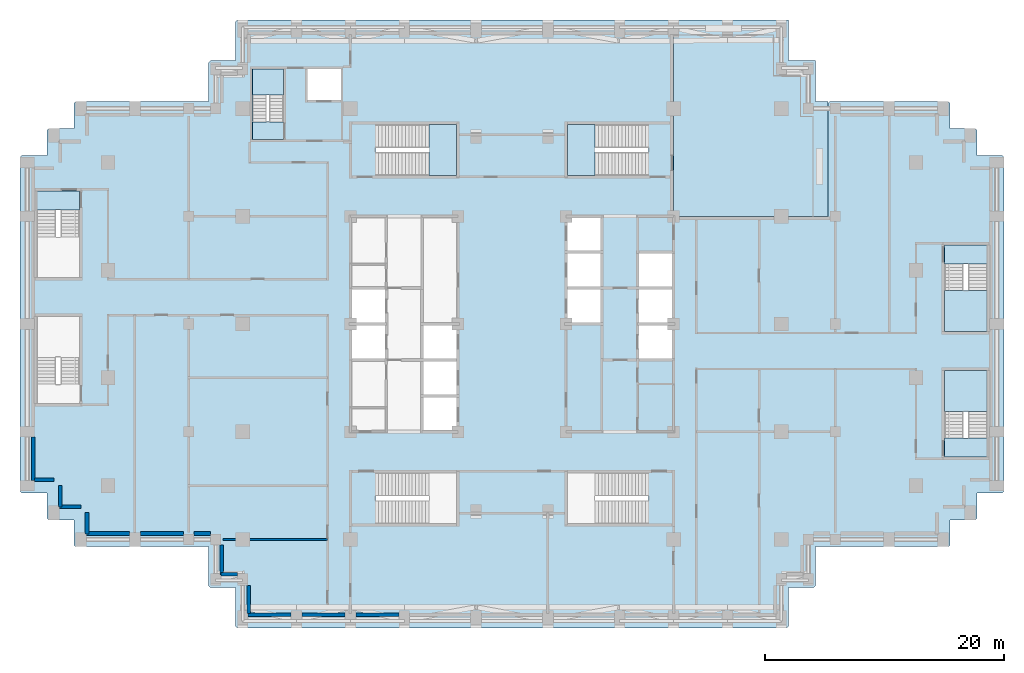
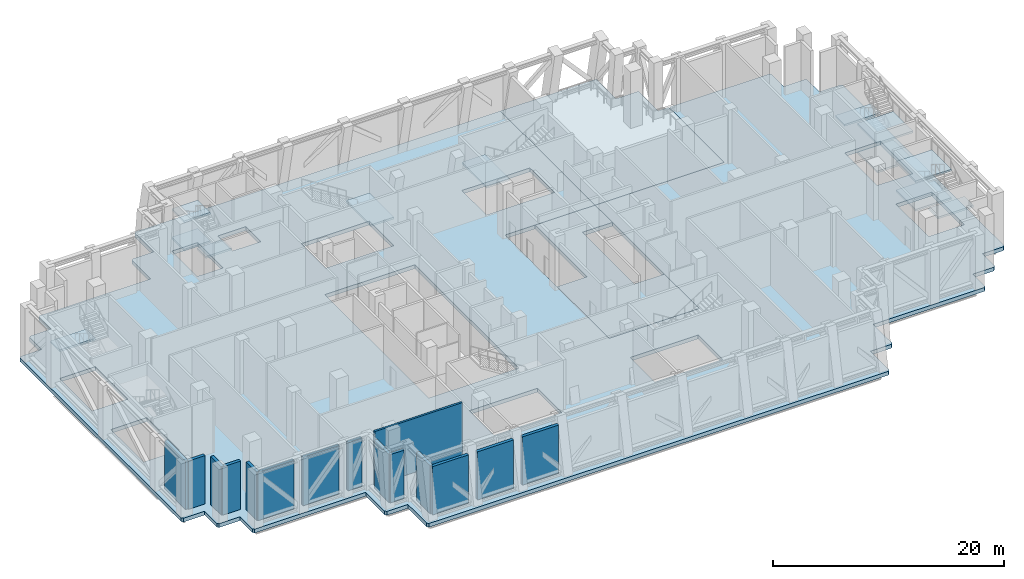
# One storey, part 4 of 14: 15 slabs, 15 walls, 6 elements without a shape of their own.
"""IFC4 building model written with IfcOpenShell, lengths in metres."""

from ifc_helpers import new_model, si_unit, direction, frame, frame_2d, origin, place, context, subcontext, project, spatial, polyline, rectangle, outline, extrude, material, layer, layer_set, type_object, element, aggregate, save


model = new_model("IFC4")

# Units and contexts
model_context = context("Model", 3, precision=1e-05, world=origin(), true_north=direction((0.0, 1.0)))
body_context = subcontext(model_context, "Body", "Model", "MODEL_VIEW")
ifc_project = project(units=[si_unit("LENGTHUNIT", "METRE"), si_unit("AREAUNIT", "SQUARE_METRE"), si_unit("VOLUMEUNIT", "CUBIC_METRE"), si_unit("PLANEANGLEUNIT", "RADIAN"), si_unit("MASSUNIT", "GRAM", prefix="KILO")], contexts=[model_context])

# Site, building, storey
site_placement = place(None, origin())
site = spatial("IfcSite", under=ifc_project, at=site_placement, CompositionType="ELEMENT")
building_placement = place(site_placement, origin())
building = spatial("IfcBuilding", under=site, at=building_placement, Name="Corbelhall Arena Tower", CompositionType="ELEMENT")
storey_placement = place(building_placement, frame((0.0, 0.0, 120.0)))
storey = spatial("IfcBuildingStorey", under=building, at=storey_placement, Name="L22", CompositionType="ELEMENT", Elevation=120.0)

# Slab
ifc_material_1 = material(Name="Concrete C40/50", Category="concrete")
ifc_layer_1 = layer(ifc_material_1, 0.300048828125)
ifc_layer_set_1 = layer_set([ifc_layer_1], Name="IN-SL-CORE")
slab_type_1 = type_object("IfcSlabType", Name="IN-SL-CORE", PredefinedType="FLOOR", material=ifc_layer_set_1)
slab_1_placement = place(storey_placement, frame((0.0, 0.0, -0.400390625)))
element("IfcSlab", 1, at=slab_1_placement, inside=storey, type_object=slab_type_1, Name="Core floor E", PredefinedType="FLOOR", context=body_context, shape_type="SweptSolid", body=[
    extrude(outline(polyline([(7.5, 0.0), (4.5, 0.0), (4.5, -9.0), (13.5, -9.0), (13.5, -3.0), (10.5, -3.0), (10.5, 0.0), (10.5, 3.0), (10.5, 6.0), (13.5, 6.0), (13.5, 9.0), (7.5, 9.0), (7.5, 6.0), (7.5, 3.0), (7.5, 0.0)])), origin(), (0.0, 0.0, 1.0), 0.400390625),
])

# Stair, slab
stair_type = type_object("IfcStairType", Name="IN-ST-TOWER", PredefinedType="HALF_TURN_STAIR", material=ifc_material_1)
stair_1_placement = place(storey_placement, origin())
stair_1 = element("IfcStair", 2, at=stair_1_placement, inside=storey, type_object=stair_type, Name="L22 Exit stair ST1", PredefinedType="HALF_TURN_STAIR")
ifc_layer_2 = layer(ifc_material_1, 0.199951171875)
ifc_layer_set_2 = layer_set([ifc_layer_2], Name="IN-SL-LANDING")
slab_type_2 = type_object("IfcSlabType", Name="IN-SL-LANDING", PredefinedType="LANDING", material=ifc_layer_set_2)
slab_2_placement = place(storey_placement, frame((0.0, 0.0, 2.800048828125)))
slab_2 = element("IfcSlab", 3, at=slab_2_placement, type_object=slab_type_2, Name="ST1 landing 1", PredefinedType="LANDING", context=body_context, shape_type="SweptSolid", body=[
    extrude(outline(polyline([(-6.945068359375, 12.425048828125), (-4.625, 12.425048828125), (-4.625, 16.675048828125), (-6.945068359375, 16.675048828125), (-6.945068359375, 12.425048828125)])), origin(), (0.0, 0.0, 1.0), 0.199951171875),
])
aggregate(stair_1, [slab_2])

stair_2_placement = place(storey_placement, origin())
stair_2 = element("IfcStair", 4, at=stair_2_placement, inside=storey, type_object=stair_type, Name="L22 Exit stair ST3", PredefinedType="HALF_TURN_STAIR")
slab_3_placement = place(storey_placement, frame((0.0, 0.0, 2.800048828125)))
slab_3 = element("IfcSlab", 5, at=slab_3_placement, type_object=slab_type_2, Name="ST3 landing 1", PredefinedType="LANDING", context=body_context, shape_type="SweptSolid", body=[
    extrude(outline(polyline([(6.945068359375, 16.675048828125), (4.625, 16.675048828125), (4.625, 12.425048828125), (6.945068359375, 12.425048828125), (6.945068359375, 16.675048828125)])), origin(), (0.0, 0.0, 1.0), 0.199951171875),
])
aggregate(stair_2, [slab_3])

stair_3_placement = place(storey_placement, origin())
stair_3 = element("IfcStair", 6, at=stair_3_placement, inside=storey, type_object=stair_type, Name="L22 Exit stair SC1", PredefinedType="HALF_TURN_STAIR")
slab_4_placement = place(storey_placement, frame((0.0, 0.0, 2.800048828125)))
slab_4 = element("IfcSlab", 7, at=slab_4_placement, type_object=slab_type_2, Name="SC1 landing 2", PredefinedType="LANDING", context=body_context, shape_type="SweptSolid", body=[
    extrude(outline(polyline([(-39.699951171875, 11.125), (-39.699951171875, 9.52490234375), (-36.125, 9.52490234375), (-36.125, 11.125), (-39.699951171875, 11.125)])), origin(), (0.0, 0.0, 1.0), 0.199951171875),
])
aggregate(stair_3, [slab_4])

# Stair, slabs
stair_4_placement = place(storey_placement, origin())
stair_4 = element("IfcStair", 8, at=stair_4_placement, inside=storey, type_object=stair_type, Name="L22 Exit stair SD1", PredefinedType="HALF_TURN_STAIR")
slab_5_placement = place(storey_placement, frame((0.0, 0.0, 1.300048828125)))
slab_5 = element("IfcSlab", 9, at=slab_5_placement, type_object=slab_type_2, Name="SD1 landing 1", PredefinedType="LANDING", context=body_context, shape_type="SweptSolid", body=[
    extrude(outline(polyline([(39.699951171875, -7.284912109375), (39.699951171875, -3.875), (36.125, -3.875), (36.125, -7.284912109375), (39.699951171875, -7.284912109375)])), origin(), (0.0, 0.0, 1.0), 0.199951171875),
])
slab_6_placement = place(storey_placement, frame((0.0, 0.0, 2.800048828125)))
slab_6 = element("IfcSlab", 10, at=slab_6_placement, type_object=slab_type_2, Name="SD1 landing 2", PredefinedType="LANDING", context=body_context, shape_type="SweptSolid", body=[
    extrude(outline(polyline([(39.699951171875, -11.125), (39.699951171875, -9.52490234375), (36.125, -9.52490234375), (36.125, -11.125), (39.699951171875, -11.125)])), origin(), (0.0, 0.0, 1.0), 0.199951171875),
])
slab_7_placement = place(storey_placement, frame((0.0, 0.0, 4.300048828125)))
slab_7 = element("IfcSlab", 11, at=slab_7_placement, type_object=slab_type_2, Name="SD1 landing 3", PredefinedType="LANDING", context=body_context, shape_type="SweptSolid", body=[
    extrude(outline(polyline([(39.699951171875, -7.284912109375), (39.699951171875, -3.875), (36.125, -3.875), (36.125, -7.284912109375), (39.699951171875, -7.284912109375)])), origin(), (0.0, 0.0, 1.0), 0.199951171875),
])
aggregate(stair_4, [slab_5, slab_6, slab_7])

stair_5_placement = place(storey_placement, origin())
stair_5 = element("IfcStair", 12, at=stair_5_placement, inside=storey, type_object=stair_type, Name="L22 Exit stair SD2", PredefinedType="HALF_TURN_STAIR")
slab_8_placement = place(storey_placement, frame((0.0, 0.0, 1.300048828125)))
slab_8 = element("IfcSlab", 13, at=slab_8_placement, type_object=slab_type_2, Name="SD2 landing 1", PredefinedType="LANDING", context=body_context, shape_type="SweptSolid", body=[
    extrude(outline(polyline([(36.125, 2.784912109375), (36.125, -0.625), (39.699951171875, -0.625), (39.699951171875, 2.784912109375), (36.125, 2.784912109375)])), origin(), (0.0, 0.0, 1.0), 0.199951171875),
])
slab_9_placement = place(storey_placement, frame((0.0, 0.0, 2.800048828125)))
slab_9 = element("IfcSlab", 14, at=slab_9_placement, type_object=slab_type_2, Name="SD2 landing 2", PredefinedType="LANDING", context=body_context, shape_type="SweptSolid", body=[
    extrude(outline(polyline([(36.125, 6.625), (36.125, 5.02490234375), (39.699951171875, 5.02490234375), (39.699951171875, 6.625), (36.125, 6.625)])), origin(), (0.0, 0.0, 1.0), 0.199951171875),
])
slab_10_placement = place(storey_placement, frame((0.0, 0.0, 4.300048828125)))
slab_10 = element("IfcSlab", 15, at=slab_10_placement, type_object=slab_type_2, Name="SD2 landing 3", PredefinedType="LANDING", context=body_context, shape_type="SweptSolid", body=[
    extrude(outline(polyline([(36.125, 2.784912109375), (36.125, -0.625), (39.699951171875, -0.625), (39.699951171875, 2.784912109375), (36.125, 2.784912109375)])), origin(), (0.0, 0.0, 1.0), 0.199951171875),
])
aggregate(stair_5, [slab_8, slab_9, slab_10])

stair_6_placement = place(storey_placement, origin())
stair_6 = element("IfcStair", 16, at=stair_6_placement, inside=storey, type_object=stair_type, Name="L22 Exit stair ST5", PredefinedType="HALF_TURN_STAIR")
slab_11_placement = place(storey_placement, frame((0.0, 0.0, 1.300048828125)))
slab_11 = element("IfcSlab", 17, at=slab_11_placement, type_object=slab_type_2, Name="ST5 landing 1", PredefinedType="LANDING", context=body_context, shape_type="SweptSolid", body=[
    extrude(outline(polyline([(-19.094970703125, 19.139892578125), (-19.094970703125, 21.300048828125), (-21.695068359375, 21.300048828125), (-21.695068359375, 19.139892578125), (-19.094970703125, 19.139892578125)])), origin(), (0.0, 0.0, 1.0), 0.199951171875),
])
slab_12_placement = place(storey_placement, frame((0.0, 0.0, 2.800048828125)))
slab_12 = element("IfcSlab", 18, at=slab_12_placement, type_object=slab_type_2, Name="ST5 landing 2", PredefinedType="LANDING", context=body_context, shape_type="SweptSolid", body=[
    extrude(outline(polyline([(-19.094970703125, 15.39990234375), (-19.094970703125, 16.89990234375), (-21.695068359375, 16.89990234375), (-21.695068359375, 15.39990234375), (-19.094970703125, 15.39990234375)])), origin(), (0.0, 0.0, 1.0), 0.199951171875),
])
slab_13_placement = place(storey_placement, frame((0.0, 0.0, 4.300048828125)))
slab_13 = element("IfcSlab", 19, at=slab_13_placement, type_object=slab_type_2, Name="ST5 landing 3", PredefinedType="LANDING", context=body_context, shape_type="SweptSolid", body=[
    extrude(outline(polyline([(-19.094970703125, 19.139892578125), (-19.094970703125, 21.300048828125), (-21.695068359375, 21.300048828125), (-21.695068359375, 19.139892578125), (-19.094970703125, 19.139892578125)])), origin(), (0.0, 0.0, 1.0), 0.199951171875),
])
aggregate(stair_6, [slab_11, slab_12, slab_13])

# Slabs
ifc_layer_3 = layer(ifc_material_1, 0.400390625)
ifc_layer_set_3 = layer_set([ifc_layer_3], Name="ST-SLAB-FLOOR-400")
slab_type_3 = type_object("IfcSlabType", Name="ST-SLAB-FLOOR-400", PredefinedType="FLOOR", material=ifc_layer_set_3)
slab_14_placement = place(storey_placement, frame((0.0, 0.0, -0.400390625)))
element("IfcSlab", 20, at=slab_14_placement, inside=storey, type_object=slab_type_3, Name="Floor slab L22 1", PredefinedType="FLOOR", context=body_context, shape_type="SweptSolid", body=[
    extrude(outline(polyline([(40.949951171875, 14.10009765625), (38.85009765625, 14.10009765625), (38.85009765625, 16.199951171875), (38.699951171875, 16.35009765625), (36.60009765625, 16.35009765625), (36.60009765625, 18.449951171875), (36.449951171875, 18.60009765625), (26.550048828125, 18.60009765625), (26.39990234375, 18.449951171875), (26.39990234375, 9.0), (13.5, 9.0), (13.5, 25.39990234375), (-22.949951171875, 25.39990234375), (-23.10009765625, 25.25), (-23.10009765625, 22.0), (-25.199951171875, 22.0), (-25.35009765625, 21.85009765625), (-25.35009765625, 18.60009765625), (-36.449951171875, 18.60009765625), (-36.60009765625, 18.449951171875), (-36.60009765625, 16.35009765625), (-38.699951171875, 16.35009765625), (-38.85009765625, 16.199951171875), (-38.85009765625, 14.10009765625), (-40.949951171875, 14.10009765625), (-41.10009765625, 13.949951171875), (-41.10009765625, -13.949951171875), (-40.949951171875, -14.10009765625), (-38.85009765625, -14.10009765625), (-38.85009765625, -16.199951171875), (-38.699951171875, -16.35009765625), (-36.60009765625, -16.35009765625), (-36.60009765625, -18.449951171875), (-36.449951171875, -18.60009765625), (-25.35009765625, -18.60009765625), (-25.35009765625, -21.85009765625), (-25.199951171875, -22.0), (-23.10009765625, -22.0), (-23.10009765625, -25.25), (-22.949951171875, -25.39990234375), (22.949951171875, -25.39990234375), (23.10009765625, -25.25), (23.10009765625, -22.0), (25.199951171875, -22.0), (25.35009765625, -21.85009765625), (25.35009765625, -18.60009765625), (36.449951171875, -18.60009765625), (36.60009765625, -18.449951171875), (36.60009765625, -16.35009765625), (38.699951171875, -16.35009765625), (38.85009765625, -16.199951171875), (38.85009765625, -14.10009765625), (40.949951171875, -14.10009765625), (41.10009765625, -13.949951171875), (41.10009765625, 13.949951171875), (40.949951171875, 14.10009765625)]), holes=[polyline([(4.501220703125, 8.997314453125), (4.501220703125, -8.997314453125), (13.498779296875, -8.997314453125), (13.498779296875, 8.997314453125), (4.501220703125, 8.997314453125)]), polyline([(-13.5, 9.0), (-13.5, -9.0), (-4.5, -9.0), (-4.5, 9.0), (-13.5, 9.0)]), polyline([(-4.625, 16.675048828125), (-11.422119140625, 16.675048828125), (-11.422119140625, 12.425048828125), (-4.625, 12.425048828125), (-4.625, 16.675048828125)]), polyline([(-4.625, -16.675048828125), (-4.625, -12.425048828125), (-11.422119140625, -12.425048828125), (-11.422119140625, -16.675048828125), (-4.625, -16.675048828125)]), polyline([(11.422119140625, 16.675048828125), (4.625, 16.675048828125), (4.625, 12.425048828125), (11.422119140625, 12.425048828125), (11.422119140625, 16.675048828125)]), polyline([(11.422119140625, -16.675048828125), (11.422119140625, -12.425048828125), (4.625, -12.425048828125), (4.625, -16.675048828125), (11.422119140625, -16.675048828125)]), polyline([(-36.125, 3.875), (-36.125, 9.52197265625), (-39.699951171875, 9.52197265625), (-39.699951171875, 3.875), (-36.125, 3.875)]), polyline([(-36.125, 0.625), (-39.699951171875, 0.625), (-39.699951171875, -5.02197265625), (-36.125, -5.02197265625), (-36.125, 0.625)]), polyline([(39.699951171875, -9.52197265625), (39.699951171875, -3.875), (36.125, -3.875), (36.125, -9.52197265625), (39.699951171875, -9.52197265625)]), polyline([(39.699951171875, 5.02197265625), (36.125, 5.02197265625), (36.125, -0.625), (39.699951171875, -0.625), (39.699951171875, 5.02197265625)]), polyline([(-21.695068359375, 21.300048828125), (-21.695068359375, 16.903076171875), (-19.094970703125, 16.903076171875), (-19.094970703125, 21.300048828125), (-21.695068359375, 21.300048828125)]), polyline([(-14.300048828125, 21.300048828125), (-17.10009765625, 21.300048828125), (-17.10009765625, 18.699951171875), (-14.300048828125, 18.699951171875), (-14.300048828125, 21.300048828125)])]), origin(), (0.0, 0.0, 1.0), 0.400390625),
])
slab_15_placement = place(storey_placement, frame((0.0, 0.0, -0.400390625)))
element("IfcSlab", 21, at=slab_15_placement, inside=storey, type_object=slab_type_3, Name="Terrace slab T-L22-NE", PredefinedType="FLOOR", context=body_context, shape_type="SweptSolid", body=[
    extrude(outline(polyline([(23.10009765625, 25.39990234375), (13.5, 25.39990234375), (13.5, 9.0), (26.39990234375, 9.0), (26.39990234375, 18.60009765625), (25.35009765625, 18.60009765625), (25.35009765625, 22.0), (23.10009765625, 22.0), (23.10009765625, 25.39990234375)])), origin(), (0.0, 0.0, 1.0), 0.400390625),
])

# Walls
ifc_material_2 = material(Name="Precast concrete C40/50 with granite facing", Category="masonry")
ifc_layer_4 = layer(ifc_material_2, 0.300048828125)
ifc_layer_set_4 = layer_set([ifc_layer_4], Name="EV-IW1 Infill panel 300")
wall_type_1 = type_object("IfcWallType", Name="EV-IW1 Infill panel 300", PredefinedType="SOLIDWALL", material=ifc_layer_set_4)
wall_1_placement = place(storey_placement, frame((-39.89990234375, -13.0, 0.0), z_axis=(0.0, 0.0, 1.0), x_axis=(1.0, 0.0, 0.0)))
element("IfcWall", 22, at=wall_1_placement, inside=storey, type_object=wall_type_1, Name="Infill panel IW1", PredefinedType="SOLIDWALL", context=body_context, shape_type="SweptSolid", body=[
    extrude(rectangle(XDim=1.64990234375, YDim=0.300048828125, at=frame_2d((0.824951171875, 0.0))), origin(), (0.0, 0.0, 1.0), 5.10009765625),
])
for number, where, z_axis, x_axis, name in (
    (23, (-37.75, -15.300048828125, 0.0), (0.0, 0.0, 1.0), (0.0, 1.0, 0.0), "Infill panel IW1"),
    (24, (-37.800048828125, -15.25, 0.0), (0.0, 0.0, 1.0), (1.0, 0.0, 0.0), "Infill panel IW1"),
    (25, (-35.5, -17.550048828125, 0.0), (0.0, 0.0, 1.0), (0.0, 1.0, 0.0), "Infill panel IW1"),
):
    element("IfcWall", number, at=place(storey_placement, frame(where, z_axis=z_axis, x_axis=x_axis)), inside=storey, type_object=wall_type_1, Name=name, PredefinedType="SOLIDWALL", context=body_context, shape_type="SweptSolid", body=[
        extrude(rectangle(XDim=1.800048828125, YDim=0.300048828125, at=frame_2d((0.89990234375, 0.0))), origin(), (0.0, 0.0, 1.0), 5.10009765625),
    ])
for number, where, z_axis, x_axis, name in (
    (26, (-40.0, -9.449951171875, 0.0), (0.0, 0.0, 1.0), (0.0, -1.0, 0.0), "Infill panel IW1"),
    (27, (-35.550048828125, -17.5, 0.0), (0.0, 0.0, 1.0), (1.0, 0.0, 0.0), "Infill panel IW1"),
    (28, (-31.050048828125, -17.5, 0.0), (0.0, 0.0, 1.0), (1.0, 0.0, 0.0), "Infill panel IW1"),
):
    element("IfcWall", number, at=place(storey_placement, frame(where, z_axis=z_axis, x_axis=x_axis)), inside=storey, type_object=wall_type_1, Name=name, PredefinedType="SOLIDWALL", context=body_context, shape_type="SweptSolid", body=[
        extrude(rectangle(XDim=3.60009765625, YDim=0.300048828125, at=frame_2d((1.800048828125, 0.0))), origin(), (0.0, 0.0, 1.0), 5.10009765625),
    ])
wall_2_placement = place(storey_placement, frame((-26.550048828125, -17.5, 0.0), z_axis=(0.0, 0.0, 1.0), x_axis=(1.0, 0.0, 0.0)))
element("IfcWall", 29, at=wall_2_placement, inside=storey, type_object=wall_type_1, Name="Infill panel IW1", PredefinedType="SOLIDWALL", context=body_context, shape_type="SweptSolid", body=[
    extrude(rectangle(XDim=1.35009765625, YDim=0.300048828125, at=frame_2d((0.675048828125, 0.0))), origin(), (0.0, 0.0, 1.0), 5.10009765625),
])
wall_3_placement = place(storey_placement, frame((-24.25, -18.449951171875, 0.0), z_axis=(0.0, 0.0, 1.0), x_axis=(0.0, -1.0, 0.0)))
element("IfcWall", 30, at=wall_3_placement, inside=storey, type_object=wall_type_1, Name="Infill panel IW1", PredefinedType="SOLIDWALL", context=body_context, shape_type="SweptSolid", body=[
    extrude(rectangle(XDim=2.5, YDim=0.300048828125, at=frame_2d((1.25, 0.0))), origin(), (0.0, 0.0, 1.0), 5.10009765625),
])
wall_4_placement = place(storey_placement, frame((-24.300048828125, -20.89990234375, 0.0), z_axis=(0.0, 0.0, 1.0), x_axis=(1.0, 0.0, 0.0)))
element("IfcWall", 31, at=wall_4_placement, inside=storey, type_object=wall_type_1, Name="Infill panel IW1", PredefinedType="SOLIDWALL", context=body_context, shape_type="SweptSolid", body=[
    extrude(rectangle(XDim=1.35009765625, YDim=0.300048828125, at=frame_2d((0.675048828125, 0.0))), origin(), (0.0, 0.0, 1.0), 5.10009765625),
])
wall_5_placement = place(storey_placement, frame((-22.0, -21.85009765625, 0.0), z_axis=(0.0, 0.0, 1.0), x_axis=(0.0, -1.0, 0.0)))
element("IfcWall", 32, at=wall_5_placement, inside=storey, type_object=wall_type_1, Name="Infill panel IW1", PredefinedType="SOLIDWALL", context=body_context, shape_type="SweptSolid", body=[
    extrude(rectangle(XDim=2.349853515625, YDim=0.300048828125, at=frame_2d((1.1748046875, 0.0))), origin(), (0.0, 0.0, 1.0), 5.10009765625),
])
for number, where, z_axis, x_axis, name in (
    (33, (-22.050048828125, -24.300048828125, 0.0), (0.0, 0.0, 1.0), (1.0, 0.0, 0.0), "Infill panel IW1"),
    (34, (-17.550048828125, -24.300048828125, 0.0), (0.0, 0.0, 1.0), (1.0, 0.0, 0.0), "Infill panel IW1"),
    (35, (-13.050048828125, -24.300048828125, 0.0), (0.0, 0.0, 1.0), (1.0, 0.0, 0.0), "Infill panel IW1"),
):
    element("IfcWall", number, at=place(storey_placement, frame(where, z_axis=z_axis, x_axis=x_axis)), inside=storey, type_object=wall_type_1, Name=name, PredefinedType="SOLIDWALL", context=body_context, shape_type="SweptSolid", body=[
        extrude(rectangle(XDim=3.60009765625, YDim=0.300048828125, at=frame_2d((1.800048828125, 0.0))), origin(), (0.0, 0.0, 1.0), 5.10009765625),
    ])
ifc_material_3 = material(Name="Gypsum board on steel stud, acoustic", Category="steel")
ifc_layer_5 = layer(ifc_material_3, 0.199951171875)
ifc_layer_set_5 = layer_set([ifc_layer_5], Name="IN-W-DM200")
wall_type_2 = type_object("IfcWallType", Name="IN-W-DM200", PredefinedType="PARTITIONING", material=ifc_layer_set_5)
wall_6_placement = place(storey_placement, frame((-24.14990234375, -18.0, 0.0), z_axis=(0.0, 0.0, 1.0), x_axis=(1.0, 0.0, 0.0)))
element("IfcWall", 36, at=wall_6_placement, inside=storey, type_object=wall_type_2, Name="Partition 013", PredefinedType="PARTITIONING", context=body_context, shape_type="SweptSolid", body=[
    extrude(rectangle(XDim=8.75, YDim=0.199951171875, at=frame_2d((4.375, 0.0))), origin(), (0.0, 0.0, 1.0), 5.699951171875),
])

save(model, "model.ifc")
